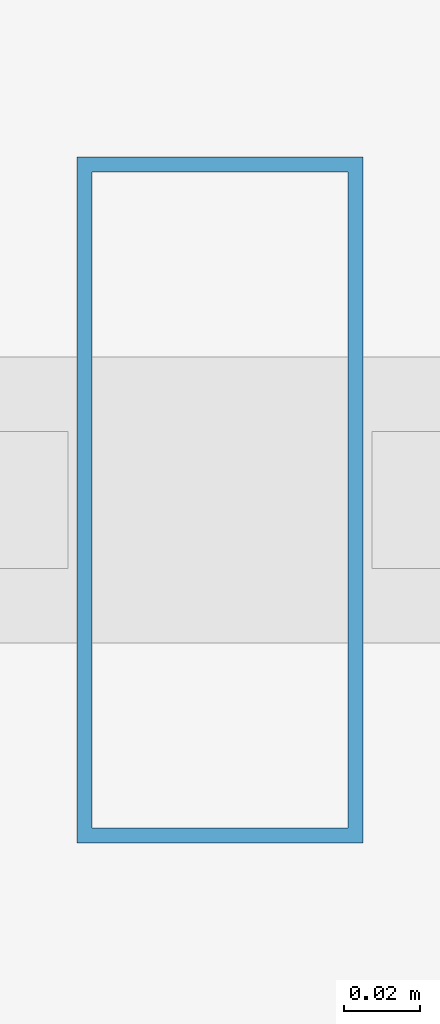
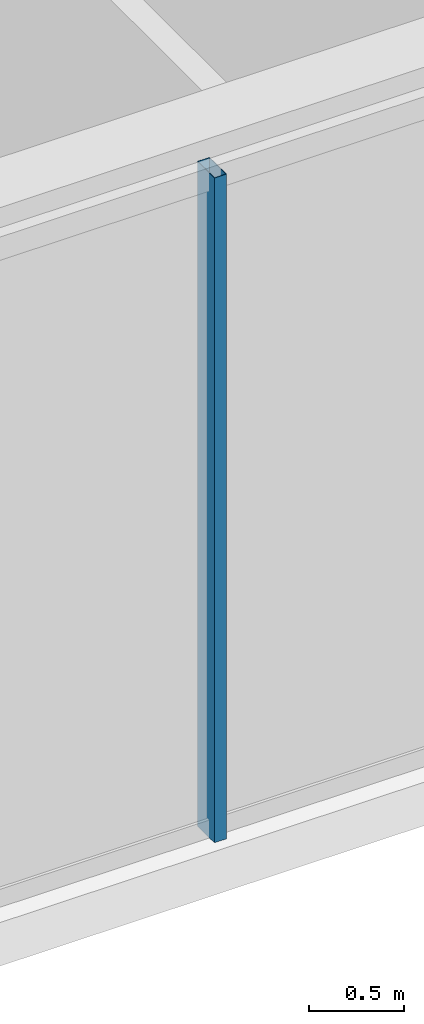
# One storey, part 4 of 32: 1 member, 1 element without a shape of its own.
"""IFC4 building model written with IfcOpenShell, lengths in metres."""

from ifc_helpers import new_model, si_unit, direction, frame, origin, origin_2d, place, context, subcontext, project, spatial, hollow_rectangle, extrude, material, layer, layer_set, material_profile, profile_set, type_object, element, aggregate, save


model = new_model("IFC4")

# Units and contexts
model_context = context("Model", 3, precision=1e-05, world=origin(), true_north=direction((0.0, 1.0)))
body_context = subcontext(model_context, "Body", "Model", "MODEL_VIEW")
ifc_project = project(units=[si_unit("LENGTHUNIT", "METRE"), si_unit("AREAUNIT", "SQUARE_METRE"), si_unit("VOLUMEUNIT", "CUBIC_METRE"), si_unit("PLANEANGLEUNIT", "RADIAN"), si_unit("MASSUNIT", "GRAM", prefix="KILO")], contexts=[model_context])

# Site, building, storey
site_placement = place(None, origin())
site = spatial("IfcSite", under=ifc_project, at=site_placement, CompositionType="ELEMENT")
building_placement = place(site_placement, origin())
building = spatial("IfcBuilding", under=site, at=building_placement, Name="Ndaravel Arena Tower", CompositionType="ELEMENT")
storey_placement = place(building_placement, frame((0.0, 0.0, 278.800048828125)))
storey = spatial("IfcBuildingStorey", under=building, at=storey_placement, Name="L68", CompositionType="ELEMENT", Elevation=278.800048828125)

# Curtain wall, member
ifc_material_1 = material(Name="Aluminium", Category="aluminium")
ifc_layer = layer(ifc_material_1, 0.179931640625)
ifc_layer_set = layer_set([ifc_layer], Name="Aluminium")
curtain_wall_type = type_object("IfcCurtainWallType", Name="CW-SYS-03", PredefinedType="NOTDEFINED", material=ifc_layer_set)
curtain_wall_placement = place(storey_placement, origin())
curtain_wall = element("IfcCurtainWall", 1, at=curtain_wall_placement, inside=storey, type_object=curtain_wall_type, Name="L68 Faceted Crystal Curtain Wall CW-L68-E01", PredefinedType="NOTDEFINED")
ifc_material_2 = material(Name="Aluminium", Category="aluminium")
ifc_material_profile = material_profile(ifc_material_2, hollow_rectangle(XDim=0.074951171875, YDim=0.179931640625, WallThickness=0.00390625, at=origin_2d()), Name="CW MULLION 75x180x4")
ifc_profile_set = profile_set([ifc_material_profile], Name="Aluminium")
member_type = type_object("IfcMemberType", Name="MEM-CW-MUL180", PredefinedType="MULLION", material=ifc_profile_set)
member_placement = place(storey_placement, frame((35.32958984375, 5.159912109375, 0.0), z_axis=(0.0, 0.0, 1.0), x_axis=(1.0, 0.0, 0.0)))
member = element("IfcMember", 2, at=member_placement, type_object=member_type, Name="CW-L68-E01 Mullion 03", PredefinedType="MULLION", context=body_context, shape_type="SweptSolid", body=[
    extrude(hollow_rectangle(XDim=0.074951171875, YDim=0.179931640625, WallThickness=0.00390625, at=origin_2d()), origin(), (0.0, 0.0, 1.0), 4.280029296875),
])
aggregate(curtain_wall, [member])

save(model, "model.ifc")
